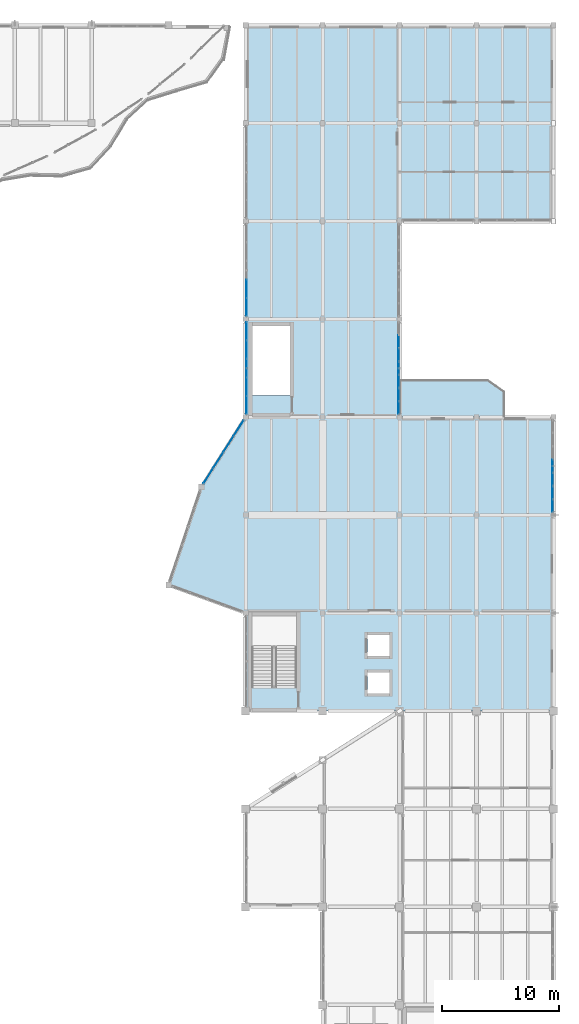
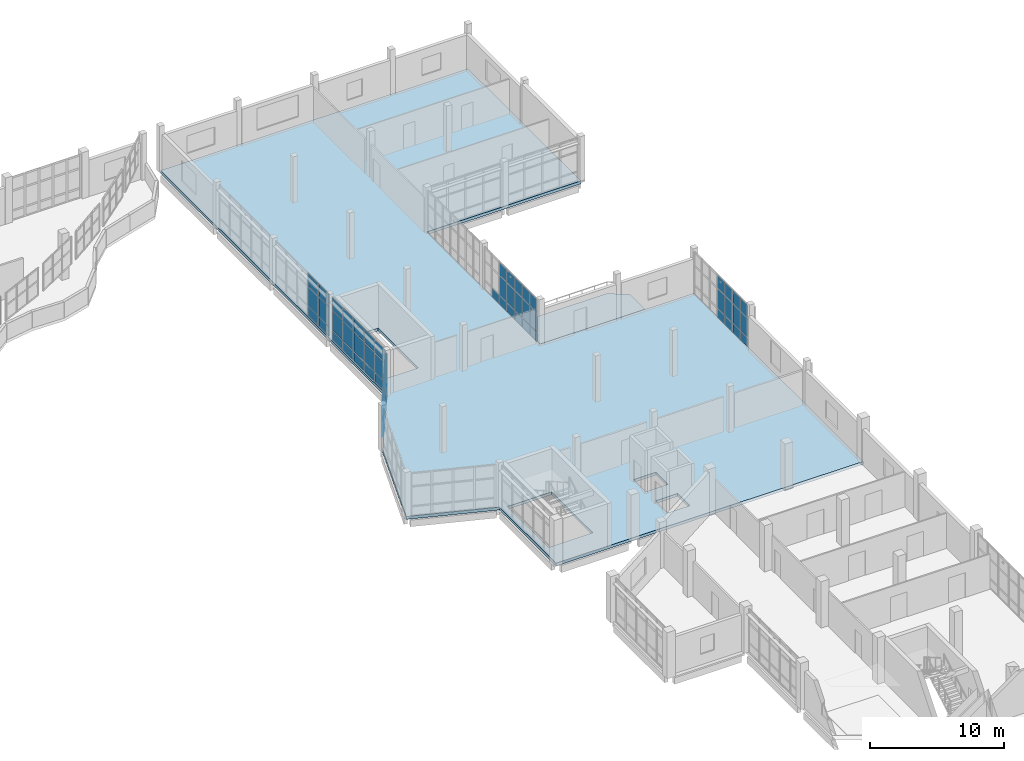
# One storey, part 40 of 74: 60 plates, 2 slabs, 5 elements without a shape of their own.
"""IFC4 building model written with IfcOpenShell, lengths in metres."""

from ifc_helpers import new_model, si_unit, direction, frame, origin, origin_2d, place, context, subcontext, project, spatial, polyline, rectangle, outline, extrude, material, layer, layer_set, type_object, element, aggregate, save


model = new_model("IFC4")

# Units and contexts
model_context = context("Model", 3, precision=1e-05, world=origin(), true_north=direction((0.0, 1.0)))
body_context = subcontext(model_context, "Body", "Model", "MODEL_VIEW")
ifc_project = project(units=[si_unit("LENGTHUNIT", "METRE"), si_unit("AREAUNIT", "SQUARE_METRE"), si_unit("VOLUMEUNIT", "CUBIC_METRE"), si_unit("PLANEANGLEUNIT", "RADIAN"), si_unit("MASSUNIT", "GRAM", prefix="KILO")], contexts=[model_context])

# Site, building, storey
site_placement = place(None, origin())
site = spatial("IfcSite", under=ifc_project, at=site_placement, CompositionType="ELEMENT")
building_placement = place(site_placement, origin())
building = spatial("IfcBuilding", under=site, at=building_placement, Name="Qaldarim Faculty of Natural and Applied Sciences", CompositionType="ELEMENT")
storey_placement = place(building_placement, frame((0.0, 0.0, 14.39990234375)))
storey = spatial("IfcBuildingStorey", under=building, at=storey_placement, Name="L03", CompositionType="ELEMENT", Elevation=14.39990234375)

# Slab
ifc_material_1 = material(Name="Concrete C40/50", Category="concrete")
ifc_layer_1 = layer(ifc_material_1, 0.260009765625)
ifc_layer_set_1 = layer_set([ifc_layer_1], Name="Concrete C40/50")
slab_type_1 = type_object("IfcSlabType", Name="LaboratoryFloorSlab-260", PredefinedType="FLOOR", material=ifc_layer_set_1)
slab_1_placement = place(storey_placement, frame((0.0, 0.0, -0.260009765625)))
element("IfcSlab", 1, at=slab_1_placement, inside=storey, type_object=slab_type_1, Name="Floor slab L03 V3", PredefinedType="FLOOR", context=body_context, shape_type="SweptSolid", body=[
    extrude(outline(polyline([(148.0, 78.0), (151.800048828125, 84.0), (151.800048828125, 117.60009765625), (178.199951171875, 117.60009765625), (178.199951171875, 100.800048828125), (165.0, 100.800048828125), (165.0, 84.0), (178.199951171875, 84.0), (178.199951171875, 58.800048828125), (151.800048828125, 58.800048828125), (151.800048828125, 67.199951171875), (145.199951171875, 69.60009765625), (148.0, 78.0)]), holes=[polyline([(156.14990234375, 60.864990234375), (156.14990234375, 66.97509765625), (152.35009765625, 66.97509765625), (152.35009765625, 60.864990234375), (156.14990234375, 60.864990234375)]), polyline([(155.60009765625, 85.864990234375), (155.60009765625, 91.824951171875), (152.39990234375, 91.824951171875), (152.39990234375, 85.864990234375), (155.60009765625, 85.864990234375)]), polyline([(162.25, 60.300048828125), (164.14990234375, 60.300048828125), (164.14990234375, 62.10009765625), (162.25, 62.10009765625), (162.25, 60.300048828125)]), polyline([(162.25, 63.5), (164.14990234375, 63.5), (164.14990234375, 65.300048828125), (162.25, 65.300048828125), (162.25, 63.5)])]), origin(), (0.0, 0.0, 1.0), 0.260009765625),
])

# Curtain wall, plates
ifc_material_2 = material(Name="Anodised aluminium AW-6063", Category="aluminium")
curtain_wall_type_1 = type_object("IfcCurtainWallType", Name="CurtainWallSystem-M1200", PredefinedType="USERDEFINED", material=ifc_material_2)
curtain_wall_1_placement = place(storey_placement, origin())
curtain_wall_1 = element("IfcCurtainWall", 2, at=curtain_wall_1_placement, inside=storey, type_object=curtain_wall_type_1, Name="Curtain wall CW-L03-E-X25Y11", ObjectType="STICK CURTAIN WALL", PredefinedType="USERDEFINED")
ifc_material_3 = material(Name="Insulated low-e double glazing", Category="glass")
ifc_layer_2 = layer(ifc_material_3, 0.031982421875)
ifc_layer_set_2 = layer_set([ifc_layer_2], Name="Insulated low-e double glazing")
plate_type_1 = type_object("IfcPlateType", Name="SolarControlGlazingPanel-32", PredefinedType="CURTAIN_PANEL", material=ifc_layer_set_2)
plate_1_placement = place(storey_placement, frame((164.919921875, 84.80615234375, 0.070068359375), z_axis=(0.0, 0.0, 1.0), x_axis=(0.0, 1.0, 0.0)))
plate_1 = element("IfcPlate", 3, at=plate_1_placement, type_object=plate_type_1, Name="Glazed panel 1-1 of CW-L03-E-X25Y11", PredefinedType="CURTAIN_PANEL", context=body_context, shape_type="SweptSolid", body=[
    extrude(rectangle(XDim=1.031982421875, YDim=0.031982421875, at=origin_2d()), origin(), (0.0, 0.0, 1.0), 0.794921875),
])
plate_2_placement = place(storey_placement, frame((164.919921875, 84.80615234375, 0.93505859375), z_axis=(0.0, 0.0, 1.0), x_axis=(0.0, 1.0, 0.0)))
plate_2 = element("IfcPlate", 4, at=plate_2_placement, type_object=plate_type_1, Name="Glazed panel 1-2 of CW-L03-E-X25Y11", PredefinedType="CURTAIN_PANEL", context=body_context, shape_type="SweptSolid", body=[
    extrude(rectangle(XDim=1.031982421875, YDim=0.031982421875, at=origin_2d()), origin(), (0.0, 0.0, 1.0), 1.72998046875),
])
plate_3_placement = place(storey_placement, frame((164.919921875, 84.80615234375, 2.73486328125), z_axis=(0.0, 0.0, 1.0), x_axis=(0.0, 1.0, 0.0)))
plate_3 = element("IfcPlate", 5, at=plate_3_placement, type_object=plate_type_1, Name="Glazed panel 1-3 of CW-L03-E-X25Y11", PredefinedType="CURTAIN_PANEL", context=body_context, shape_type="SweptSolid", body=[
    extrude(rectangle(XDim=1.031982421875, YDim=0.031982421875, at=origin_2d()), origin(), (0.0, 0.0, 1.0), 1.135009765625),
])
plate_4_placement = place(storey_placement, frame((164.919921875, 85.92578125, 0.070068359375), z_axis=(0.0, 0.0, 1.0), x_axis=(0.0, 1.0, 0.0)))
plate_4 = element("IfcPlate", 6, at=plate_4_placement, type_object=plate_type_1, Name="Glazed panel 2-1 of CW-L03-E-X25Y11", PredefinedType="CURTAIN_PANEL", context=body_context, shape_type="SweptSolid", body=[
    extrude(rectangle(XDim=1.067138671875, YDim=0.031982421875, at=origin_2d()), origin(), (0.0, 0.0, 1.0), 0.794921875),
])
plate_5_placement = place(storey_placement, frame((164.919921875, 85.92578125, 0.93505859375), z_axis=(0.0, 0.0, 1.0), x_axis=(0.0, 1.0, 0.0)))
plate_5 = element("IfcPlate", 7, at=plate_5_placement, type_object=plate_type_1, Name="Glazed panel 2-2 of CW-L03-E-X25Y11", PredefinedType="CURTAIN_PANEL", context=body_context, shape_type="SweptSolid", body=[
    extrude(rectangle(XDim=1.067138671875, YDim=0.031982421875, at=origin_2d()), origin(), (0.0, 0.0, 1.0), 1.72998046875),
])
plate_6_placement = place(storey_placement, frame((164.919921875, 85.92578125, 2.73486328125), z_axis=(0.0, 0.0, 1.0), x_axis=(0.0, 1.0, 0.0)))
plate_6 = element("IfcPlate", 8, at=plate_6_placement, type_object=plate_type_1, Name="Glazed panel 2-3 of CW-L03-E-X25Y11", PredefinedType="CURTAIN_PANEL", context=body_context, shape_type="SweptSolid", body=[
    extrude(rectangle(XDim=1.067138671875, YDim=0.031982421875, at=origin_2d()), origin(), (0.0, 0.0, 1.0), 1.135009765625),
])
plate_7_placement = place(storey_placement, frame((164.919921875, 87.06298828125, 0.070068359375), z_axis=(0.0, 0.0, 1.0), x_axis=(0.0, 1.0, 0.0)))
plate_7 = element("IfcPlate", 9, at=plate_7_placement, type_object=plate_type_1, Name="Glazed panel 3-1 of CW-L03-E-X25Y11", PredefinedType="CURTAIN_PANEL", context=body_context, shape_type="SweptSolid", body=[
    extrude(rectangle(XDim=1.067138671875, YDim=0.031982421875, at=origin_2d()), origin(), (0.0, 0.0, 1.0), 0.794921875),
])
plate_8_placement = place(storey_placement, frame((164.919921875, 87.06298828125, 0.93505859375), z_axis=(0.0, 0.0, 1.0), x_axis=(0.0, 1.0, 0.0)))
plate_8 = element("IfcPlate", 10, at=plate_8_placement, type_object=plate_type_1, Name="Glazed panel 3-2 of CW-L03-E-X25Y11", PredefinedType="CURTAIN_PANEL", context=body_context, shape_type="SweptSolid", body=[
    extrude(rectangle(XDim=1.067138671875, YDim=0.031982421875, at=origin_2d()), origin(), (0.0, 0.0, 1.0), 1.72998046875),
])
plate_9_placement = place(storey_placement, frame((164.919921875, 87.06298828125, 2.73486328125), z_axis=(0.0, 0.0, 1.0), x_axis=(0.0, 1.0, 0.0)))
plate_9 = element("IfcPlate", 11, at=plate_9_placement, type_object=plate_type_1, Name="Glazed panel 3-3 of CW-L03-E-X25Y11", PredefinedType="CURTAIN_PANEL", context=body_context, shape_type="SweptSolid", body=[
    extrude(rectangle(XDim=1.067138671875, YDim=0.031982421875, at=origin_2d()), origin(), (0.0, 0.0, 1.0), 1.135009765625),
])
plate_10_placement = place(storey_placement, frame((164.919921875, 88.199951171875, 0.070068359375), z_axis=(0.0, 0.0, 1.0), x_axis=(0.0, 1.0, 0.0)))
plate_10 = element("IfcPlate", 12, at=plate_10_placement, type_object=plate_type_1, Name="Glazed panel 4-1 of CW-L03-E-X25Y11", PredefinedType="CURTAIN_PANEL", context=body_context, shape_type="SweptSolid", body=[
    extrude(rectangle(XDim=1.067138671875, YDim=0.031982421875, at=origin_2d()), origin(), (0.0, 0.0, 1.0), 0.794921875),
])
plate_11_placement = place(storey_placement, frame((164.919921875, 88.199951171875, 0.93505859375), z_axis=(0.0, 0.0, 1.0), x_axis=(0.0, 1.0, 0.0)))
plate_11 = element("IfcPlate", 13, at=plate_11_placement, type_object=plate_type_1, Name="Glazed panel 4-2 of CW-L03-E-X25Y11", PredefinedType="CURTAIN_PANEL", context=body_context, shape_type="SweptSolid", body=[
    extrude(rectangle(XDim=1.067138671875, YDim=0.031982421875, at=origin_2d()), origin(), (0.0, 0.0, 1.0), 1.72998046875),
])
plate_12_placement = place(storey_placement, frame((164.919921875, 88.199951171875, 2.73486328125), z_axis=(0.0, 0.0, 1.0), x_axis=(0.0, 1.0, 0.0)))
plate_12 = element("IfcPlate", 14, at=plate_12_placement, type_object=plate_type_1, Name="Glazed panel 4-3 of CW-L03-E-X25Y11", PredefinedType="CURTAIN_PANEL", context=body_context, shape_type="SweptSolid", body=[
    extrude(rectangle(XDim=1.067138671875, YDim=0.031982421875, at=origin_2d()), origin(), (0.0, 0.0, 1.0), 1.135009765625),
])
plate_13_placement = place(storey_placement, frame((164.919921875, 89.337158203125, 0.070068359375), z_axis=(0.0, 0.0, 1.0), x_axis=(0.0, 1.0, 0.0)))
plate_13 = element("IfcPlate", 15, at=plate_13_placement, type_object=plate_type_1, Name="Glazed panel 5-1 of CW-L03-E-X25Y11", PredefinedType="CURTAIN_PANEL", context=body_context, shape_type="SweptSolid", body=[
    extrude(rectangle(XDim=1.067138671875, YDim=0.031982421875, at=origin_2d()), origin(), (0.0, 0.0, 1.0), 0.794921875),
])
plate_14_placement = place(storey_placement, frame((164.919921875, 89.337158203125, 0.93505859375), z_axis=(0.0, 0.0, 1.0), x_axis=(0.0, 1.0, 0.0)))
plate_14 = element("IfcPlate", 16, at=plate_14_placement, type_object=plate_type_1, Name="Glazed panel 5-2 of CW-L03-E-X25Y11", PredefinedType="CURTAIN_PANEL", context=body_context, shape_type="SweptSolid", body=[
    extrude(rectangle(XDim=1.067138671875, YDim=0.031982421875, at=origin_2d()), origin(), (0.0, 0.0, 1.0), 1.72998046875),
])
plate_15_placement = place(storey_placement, frame((164.919921875, 89.337158203125, 2.73486328125), z_axis=(0.0, 0.0, 1.0), x_axis=(0.0, 1.0, 0.0)))
plate_15 = element("IfcPlate", 17, at=plate_15_placement, type_object=plate_type_1, Name="Glazed panel 5-3 of CW-L03-E-X25Y11", PredefinedType="CURTAIN_PANEL", context=body_context, shape_type="SweptSolid", body=[
    extrude(rectangle(XDim=1.067138671875, YDim=0.031982421875, at=origin_2d()), origin(), (0.0, 0.0, 1.0), 1.135009765625),
])
plate_16_placement = place(storey_placement, frame((164.919921875, 90.474365234375, 0.070068359375), z_axis=(0.0, 0.0, 1.0), x_axis=(0.0, 1.0, 0.0)))
plate_16 = element("IfcPlate", 18, at=plate_16_placement, type_object=plate_type_1, Name="Glazed panel 6-1 of CW-L03-E-X25Y11", PredefinedType="CURTAIN_PANEL", context=body_context, shape_type="SweptSolid", body=[
    extrude(rectangle(XDim=1.067138671875, YDim=0.031982421875, at=origin_2d()), origin(), (0.0, 0.0, 1.0), 0.794921875),
])
aggregate(curtain_wall_1, [plate_1, plate_2, plate_3, plate_4, plate_5, plate_6, plate_7, plate_8, plate_9, plate_10, plate_11, plate_12, plate_13, plate_14, plate_15, plate_16])

curtain_wall_2_placement = place(storey_placement, origin())
curtain_wall_2 = element("IfcCurtainWall", 19, at=curtain_wall_2_placement, inside=storey, type_object=curtain_wall_type_1, Name="Curtain wall CW-L03-E-X27Y10", ObjectType="STICK CURTAIN WALL", PredefinedType="USERDEFINED")
plate_17_placement = place(storey_placement, frame((178.1201171875, 76.406005859375, 0.070068359375), z_axis=(0.0, 0.0, 1.0), x_axis=(0.0, 1.0, 0.0)))
plate_17 = element("IfcPlate", 20, at=plate_17_placement, type_object=plate_type_1, Name="Glazed panel 1-1 of CW-L03-E-X27Y10", PredefinedType="CURTAIN_PANEL", context=body_context, shape_type="SweptSolid", body=[
    extrude(rectangle(XDim=1.031982421875, YDim=0.031982421875, at=origin_2d()), origin(), (0.0, 0.0, 1.0), 0.794921875),
])
plate_18_placement = place(storey_placement, frame((178.1201171875, 76.406005859375, 0.93505859375), z_axis=(0.0, 0.0, 1.0), x_axis=(0.0, 1.0, 0.0)))
plate_18 = element("IfcPlate", 21, at=plate_18_placement, type_object=plate_type_1, Name="Glazed panel 1-2 of CW-L03-E-X27Y10", PredefinedType="CURTAIN_PANEL", context=body_context, shape_type="SweptSolid", body=[
    extrude(rectangle(XDim=1.031982421875, YDim=0.031982421875, at=origin_2d()), origin(), (0.0, 0.0, 1.0), 1.72998046875),
])
plate_19_placement = place(storey_placement, frame((178.1201171875, 76.406005859375, 2.73486328125), z_axis=(0.0, 0.0, 1.0), x_axis=(0.0, 1.0, 0.0)))
plate_19 = element("IfcPlate", 22, at=plate_19_placement, type_object=plate_type_1, Name="Glazed panel 1-3 of CW-L03-E-X27Y10", PredefinedType="CURTAIN_PANEL", context=body_context, shape_type="SweptSolid", body=[
    extrude(rectangle(XDim=1.031982421875, YDim=0.031982421875, at=origin_2d()), origin(), (0.0, 0.0, 1.0), 1.135009765625),
])
plate_20_placement = place(storey_placement, frame((178.1201171875, 77.525634765625, 0.070068359375), z_axis=(0.0, 0.0, 1.0), x_axis=(0.0, 1.0, 0.0)))
plate_20 = element("IfcPlate", 23, at=plate_20_placement, type_object=plate_type_1, Name="Glazed panel 2-1 of CW-L03-E-X27Y10", PredefinedType="CURTAIN_PANEL", context=body_context, shape_type="SweptSolid", body=[
    extrude(rectangle(XDim=1.067138671875, YDim=0.031982421875, at=origin_2d()), origin(), (0.0, 0.0, 1.0), 0.794921875),
])
plate_21_placement = place(storey_placement, frame((178.1201171875, 77.525634765625, 0.93505859375), z_axis=(0.0, 0.0, 1.0), x_axis=(0.0, 1.0, 0.0)))
plate_21 = element("IfcPlate", 24, at=plate_21_placement, type_object=plate_type_1, Name="Glazed panel 2-2 of CW-L03-E-X27Y10", PredefinedType="CURTAIN_PANEL", context=body_context, shape_type="SweptSolid", body=[
    extrude(rectangle(XDim=1.067138671875, YDim=0.031982421875, at=origin_2d()), origin(), (0.0, 0.0, 1.0), 1.72998046875),
])
plate_22_placement = place(storey_placement, frame((178.1201171875, 77.525634765625, 2.73486328125), z_axis=(0.0, 0.0, 1.0), x_axis=(0.0, 1.0, 0.0)))
plate_22 = element("IfcPlate", 25, at=plate_22_placement, type_object=plate_type_1, Name="Glazed panel 2-3 of CW-L03-E-X27Y10", PredefinedType="CURTAIN_PANEL", context=body_context, shape_type="SweptSolid", body=[
    extrude(rectangle(XDim=1.067138671875, YDim=0.031982421875, at=origin_2d()), origin(), (0.0, 0.0, 1.0), 1.135009765625),
])
plate_23_placement = place(storey_placement, frame((178.1201171875, 78.662841796875, 0.070068359375), z_axis=(0.0, 0.0, 1.0), x_axis=(0.0, 1.0, 0.0)))
plate_23 = element("IfcPlate", 26, at=plate_23_placement, type_object=plate_type_1, Name="Glazed panel 3-1 of CW-L03-E-X27Y10", PredefinedType="CURTAIN_PANEL", context=body_context, shape_type="SweptSolid", body=[
    extrude(rectangle(XDim=1.067138671875, YDim=0.031982421875, at=origin_2d()), origin(), (0.0, 0.0, 1.0), 0.794921875),
])
plate_24_placement = place(storey_placement, frame((178.1201171875, 78.662841796875, 0.93505859375), z_axis=(0.0, 0.0, 1.0), x_axis=(0.0, 1.0, 0.0)))
plate_24 = element("IfcPlate", 27, at=plate_24_placement, type_object=plate_type_1, Name="Glazed panel 3-2 of CW-L03-E-X27Y10", PredefinedType="CURTAIN_PANEL", context=body_context, shape_type="SweptSolid", body=[
    extrude(rectangle(XDim=1.067138671875, YDim=0.031982421875, at=origin_2d()), origin(), (0.0, 0.0, 1.0), 1.72998046875),
])
plate_25_placement = place(storey_placement, frame((178.1201171875, 78.662841796875, 2.73486328125), z_axis=(0.0, 0.0, 1.0), x_axis=(0.0, 1.0, 0.0)))
plate_25 = element("IfcPlate", 28, at=plate_25_placement, type_object=plate_type_1, Name="Glazed panel 3-3 of CW-L03-E-X27Y10", PredefinedType="CURTAIN_PANEL", context=body_context, shape_type="SweptSolid", body=[
    extrude(rectangle(XDim=1.067138671875, YDim=0.031982421875, at=origin_2d()), origin(), (0.0, 0.0, 1.0), 1.135009765625),
])
plate_26_placement = place(storey_placement, frame((178.1201171875, 79.800048828125, 0.070068359375), z_axis=(0.0, 0.0, 1.0), x_axis=(0.0, 1.0, 0.0)))
plate_26 = element("IfcPlate", 29, at=plate_26_placement, type_object=plate_type_1, Name="Glazed panel 4-1 of CW-L03-E-X27Y10", PredefinedType="CURTAIN_PANEL", context=body_context, shape_type="SweptSolid", body=[
    extrude(rectangle(XDim=1.067138671875, YDim=0.031982421875, at=origin_2d()), origin(), (0.0, 0.0, 1.0), 0.794921875),
])
plate_27_placement = place(storey_placement, frame((178.1201171875, 79.800048828125, 0.93505859375), z_axis=(0.0, 0.0, 1.0), x_axis=(0.0, 1.0, 0.0)))
plate_27 = element("IfcPlate", 30, at=plate_27_placement, type_object=plate_type_1, Name="Glazed panel 4-2 of CW-L03-E-X27Y10", PredefinedType="CURTAIN_PANEL", context=body_context, shape_type="SweptSolid", body=[
    extrude(rectangle(XDim=1.067138671875, YDim=0.031982421875, at=origin_2d()), origin(), (0.0, 0.0, 1.0), 1.72998046875),
])
plate_28_placement = place(storey_placement, frame((178.1201171875, 79.800048828125, 2.73486328125), z_axis=(0.0, 0.0, 1.0), x_axis=(0.0, 1.0, 0.0)))
plate_28 = element("IfcPlate", 31, at=plate_28_placement, type_object=plate_type_1, Name="Glazed panel 4-3 of CW-L03-E-X27Y10", PredefinedType="CURTAIN_PANEL", context=body_context, shape_type="SweptSolid", body=[
    extrude(rectangle(XDim=1.067138671875, YDim=0.031982421875, at=origin_2d()), origin(), (0.0, 0.0, 1.0), 1.135009765625),
])
aggregate(curtain_wall_2, [plate_17, plate_18, plate_19, plate_20, plate_21, plate_22, plate_23, plate_24, plate_25, plate_26, plate_27, plate_28])

# Slab
ifc_layer_3 = layer(ifc_material_1, 0.179931640625)
ifc_layer_set_3 = layer_set([ifc_layer_3], Name="Concrete C40/50")
slab_type_2 = type_object("IfcSlabType", Name="TerraceBalconySlab-180", PredefinedType="FLOOR", material=ifc_layer_set_3)
slab_2_placement = place(storey_placement, frame((0.0, 0.0, -0.179931640625)))
element("IfcSlab", 32, at=slab_2_placement, inside=storey, type_object=slab_type_2, Name="East botanical court reading balcony L03", PredefinedType="FLOOR", context=body_context, shape_type="SweptSolid", body=[
    extrude(outline(polyline([(165.0, 84.0), (174.0, 84.0), (174.0, 86.199951171875), (172.60009765625, 87.199951171875), (165.0, 87.199951171875), (165.0, 84.0)])), origin(), (0.0, 0.0, 1.0), 0.179931640625),
])

# Curtain wall, plates
curtain_wall_type_2 = type_object("IfcCurtainWallType", Name="CurtainWallSystem-M1600", PredefinedType="USERDEFINED", material=ifc_material_2)
curtain_wall_3_placement = place(storey_placement, origin())
curtain_wall_3 = element("IfcCurtainWall", 33, at=curtain_wall_3_placement, inside=storey, type_object=curtain_wall_type_2, Name="Curtain wall CW-L03-W-X24Y11", ObjectType="UNITISED FACADE", PredefinedType="USERDEFINED")
ifc_layer_4 = layer(ifc_material_3, 0.028076171875)
ifc_layer_set_4 = layer_set([ifc_layer_4], Name="Insulated low-e double glazing")
plate_type_2 = type_object("IfcPlateType", Name="VisionGlazingPanel-28", PredefinedType="CURTAIN_PANEL", material=ifc_layer_set_4)
plate_29_placement = place(storey_placement, frame((151.8798828125, 91.368896484375, 0.06005859375), z_axis=(0.0, 0.0, 1.0), x_axis=(0.0, -1.0, 0.0)))
plate_29 = element("IfcPlate", 34, at=plate_29_placement, type_object=plate_type_2, Name="Glazed panel 1-1 of CW-L03-W-X24Y11", PredefinedType="CURTAIN_PANEL", context=body_context, shape_type="SweptSolid", body=[
    extrude(rectangle(XDim=1.501953125, YDim=0.028076171875, at=origin_2d()), origin(), (0.0, 0.0, 1.0), 0.81005859375),
])
plate_30_placement = place(storey_placement, frame((151.8798828125, 91.368896484375, 0.93017578125), z_axis=(0.0, 0.0, 1.0), x_axis=(0.0, -1.0, 0.0)))
plate_30 = element("IfcPlate", 35, at=plate_30_placement, type_object=plate_type_2, Name="Glazed panel 1-2 of CW-L03-W-X24Y11", PredefinedType="CURTAIN_PANEL", context=body_context, shape_type="SweptSolid", body=[
    extrude(rectangle(XDim=1.501953125, YDim=0.028076171875, at=origin_2d()), origin(), (0.0, 0.0, 1.0), 1.739990234375),
])
plate_31_placement = place(storey_placement, frame((151.8798828125, 91.368896484375, 2.730224609375), z_axis=(0.0, 0.0, 1.0), x_axis=(0.0, -1.0, 0.0)))
plate_31 = element("IfcPlate", 36, at=plate_31_placement, type_object=plate_type_2, Name="Glazed panel 1-3 of CW-L03-W-X24Y11", PredefinedType="CURTAIN_PANEL", context=body_context, shape_type="SweptSolid", body=[
    extrude(rectangle(XDim=1.501953125, YDim=0.028076171875, at=origin_2d()), origin(), (0.0, 0.0, 1.0), 1.14990234375),
])
plate_32_placement = place(storey_placement, frame((151.8798828125, 89.7919921875, 0.06005859375), z_axis=(0.0, 0.0, 1.0), x_axis=(0.0, -1.0, 0.0)))
plate_32 = element("IfcPlate", 37, at=plate_32_placement, type_object=plate_type_2, Name="Glazed panel 2-1 of CW-L03-W-X24Y11", PredefinedType="CURTAIN_PANEL", context=body_context, shape_type="SweptSolid", body=[
    extrude(rectangle(XDim=1.531982421875, YDim=0.028076171875, at=origin_2d()), origin(), (0.0, 0.0, 1.0), 0.81005859375),
])
plate_33_placement = place(storey_placement, frame((151.8798828125, 89.7919921875, 0.93017578125), z_axis=(0.0, 0.0, 1.0), x_axis=(0.0, -1.0, 0.0)))
plate_33 = element("IfcPlate", 38, at=plate_33_placement, type_object=plate_type_2, Name="Glazed panel 2-2 of CW-L03-W-X24Y11", PredefinedType="CURTAIN_PANEL", context=body_context, shape_type="SweptSolid", body=[
    extrude(rectangle(XDim=1.531982421875, YDim=0.028076171875, at=origin_2d()), origin(), (0.0, 0.0, 1.0), 1.739990234375),
])
plate_34_placement = place(storey_placement, frame((151.8798828125, 89.7919921875, 2.730224609375), z_axis=(0.0, 0.0, 1.0), x_axis=(0.0, -1.0, 0.0)))
plate_34 = element("IfcPlate", 39, at=plate_34_placement, type_object=plate_type_2, Name="Glazed panel 2-3 of CW-L03-W-X24Y11", PredefinedType="CURTAIN_PANEL", context=body_context, shape_type="SweptSolid", body=[
    extrude(rectangle(XDim=1.531982421875, YDim=0.028076171875, at=origin_2d()), origin(), (0.0, 0.0, 1.0), 1.14990234375),
])
plate_35_placement = place(storey_placement, frame((151.8798828125, 88.199951171875, 0.06005859375), z_axis=(0.0, 0.0, 1.0), x_axis=(0.0, -1.0, 0.0)))
plate_35 = element("IfcPlate", 40, at=plate_35_placement, type_object=plate_type_2, Name="Glazed panel 3-1 of CW-L03-W-X24Y11", PredefinedType="CURTAIN_PANEL", context=body_context, shape_type="SweptSolid", body=[
    extrude(rectangle(XDim=1.531982421875, YDim=0.028076171875, at=origin_2d()), origin(), (0.0, 0.0, 1.0), 0.81005859375),
])
plate_36_placement = place(storey_placement, frame((151.8798828125, 88.199951171875, 0.93017578125), z_axis=(0.0, 0.0, 1.0), x_axis=(0.0, -1.0, 0.0)))
plate_36 = element("IfcPlate", 41, at=plate_36_placement, type_object=plate_type_2, Name="Glazed panel 3-2 of CW-L03-W-X24Y11", PredefinedType="CURTAIN_PANEL", context=body_context, shape_type="SweptSolid", body=[
    extrude(rectangle(XDim=1.531982421875, YDim=0.028076171875, at=origin_2d()), origin(), (0.0, 0.0, 1.0), 1.739990234375),
])
plate_37_placement = place(storey_placement, frame((151.8798828125, 88.199951171875, 2.730224609375), z_axis=(0.0, 0.0, 1.0), x_axis=(0.0, -1.0, 0.0)))
plate_37 = element("IfcPlate", 42, at=plate_37_placement, type_object=plate_type_2, Name="Glazed panel 3-3 of CW-L03-W-X24Y11", PredefinedType="CURTAIN_PANEL", context=body_context, shape_type="SweptSolid", body=[
    extrude(rectangle(XDim=1.531982421875, YDim=0.028076171875, at=origin_2d()), origin(), (0.0, 0.0, 1.0), 1.14990234375),
])
plate_38_placement = place(storey_placement, frame((151.8798828125, 86.60791015625, 0.06005859375), z_axis=(0.0, 0.0, 1.0), x_axis=(0.0, -1.0, 0.0)))
plate_38 = element("IfcPlate", 43, at=plate_38_placement, type_object=plate_type_2, Name="Glazed panel 4-1 of CW-L03-W-X24Y11", PredefinedType="CURTAIN_PANEL", context=body_context, shape_type="SweptSolid", body=[
    extrude(rectangle(XDim=1.531982421875, YDim=0.028076171875, at=origin_2d()), origin(), (0.0, 0.0, 1.0), 0.81005859375),
])
plate_39_placement = place(storey_placement, frame((151.8798828125, 86.60791015625, 0.93017578125), z_axis=(0.0, 0.0, 1.0), x_axis=(0.0, -1.0, 0.0)))
plate_39 = element("IfcPlate", 44, at=plate_39_placement, type_object=plate_type_2, Name="Glazed panel 4-2 of CW-L03-W-X24Y11", PredefinedType="CURTAIN_PANEL", context=body_context, shape_type="SweptSolid", body=[
    extrude(rectangle(XDim=1.531982421875, YDim=0.028076171875, at=origin_2d()), origin(), (0.0, 0.0, 1.0), 1.739990234375),
])
plate_40_placement = place(storey_placement, frame((151.8798828125, 86.60791015625, 2.730224609375), z_axis=(0.0, 0.0, 1.0), x_axis=(0.0, -1.0, 0.0)))
plate_40 = element("IfcPlate", 45, at=plate_40_placement, type_object=plate_type_2, Name="Glazed panel 4-3 of CW-L03-W-X24Y11", PredefinedType="CURTAIN_PANEL", context=body_context, shape_type="SweptSolid", body=[
    extrude(rectangle(XDim=1.531982421875, YDim=0.028076171875, at=origin_2d()), origin(), (0.0, 0.0, 1.0), 1.14990234375),
])
plate_41_placement = place(storey_placement, frame((151.8798828125, 85.031005859375, 0.06005859375), z_axis=(0.0, 0.0, 1.0), x_axis=(0.0, -1.0, 0.0)))
plate_41 = element("IfcPlate", 46, at=plate_41_placement, type_object=plate_type_2, Name="Glazed panel 5-1 of CW-L03-W-X24Y11", PredefinedType="CURTAIN_PANEL", context=body_context, shape_type="SweptSolid", body=[
    extrude(rectangle(XDim=1.501953125, YDim=0.028076171875, at=origin_2d()), origin(), (0.0, 0.0, 1.0), 0.81005859375),
])
plate_42_placement = place(storey_placement, frame((151.8798828125, 85.031005859375, 0.93017578125), z_axis=(0.0, 0.0, 1.0), x_axis=(0.0, -1.0, 0.0)))
plate_42 = element("IfcPlate", 47, at=plate_42_placement, type_object=plate_type_2, Name="Glazed panel 5-2 of CW-L03-W-X24Y11", PredefinedType="CURTAIN_PANEL", context=body_context, shape_type="SweptSolid", body=[
    extrude(rectangle(XDim=1.501953125, YDim=0.028076171875, at=origin_2d()), origin(), (0.0, 0.0, 1.0), 1.739990234375),
])
plate_43_placement = place(storey_placement, frame((151.8798828125, 85.031005859375, 2.730224609375), z_axis=(0.0, 0.0, 1.0), x_axis=(0.0, -1.0, 0.0)))
plate_43 = element("IfcPlate", 48, at=plate_43_placement, type_object=plate_type_2, Name="Glazed panel 5-3 of CW-L03-W-X24Y11", PredefinedType="CURTAIN_PANEL", context=body_context, shape_type="SweptSolid", body=[
    extrude(rectangle(XDim=1.501953125, YDim=0.028076171875, at=origin_2d()), origin(), (0.0, 0.0, 1.0), 1.14990234375),
])
aggregate(curtain_wall_3, [plate_29, plate_30, plate_31, plate_32, plate_33, plate_34, plate_35, plate_36, plate_37, plate_38, plate_39, plate_40, plate_41, plate_42, plate_43])

curtain_wall_4_placement = place(storey_placement, origin())
curtain_wall_4 = element("IfcCurtainWall", 49, at=curtain_wall_4_placement, inside=storey, type_object=curtain_wall_type_2, Name="Curtain wall CW-L03-W-X24Y12", ObjectType="UNITISED FACADE", PredefinedType="USERDEFINED")
plate_44_placement = place(storey_placement, frame((151.8798828125, 95.008056640625, 0.06005859375), z_axis=(0.0, 0.0, 1.0), x_axis=(0.0, -1.0, 0.0)))
plate_44 = element("IfcPlate", 50, at=plate_44_placement, type_object=plate_type_2, Name="Glazed panel 4-1 of CW-L03-W-X24Y12", PredefinedType="CURTAIN_PANEL", context=body_context, shape_type="SweptSolid", body=[
    extrude(rectangle(XDim=1.531982421875, YDim=0.028076171875, at=origin_2d()), origin(), (0.0, 0.0, 1.0), 0.81005859375),
])
plate_45_placement = place(storey_placement, frame((151.8798828125, 95.008056640625, 0.93017578125), z_axis=(0.0, 0.0, 1.0), x_axis=(0.0, -1.0, 0.0)))
plate_45 = element("IfcPlate", 51, at=plate_45_placement, type_object=plate_type_2, Name="Glazed panel 4-2 of CW-L03-W-X24Y12", PredefinedType="CURTAIN_PANEL", context=body_context, shape_type="SweptSolid", body=[
    extrude(rectangle(XDim=1.531982421875, YDim=0.028076171875, at=origin_2d()), origin(), (0.0, 0.0, 1.0), 1.739990234375),
])
plate_46_placement = place(storey_placement, frame((151.8798828125, 95.008056640625, 2.730224609375), z_axis=(0.0, 0.0, 1.0), x_axis=(0.0, -1.0, 0.0)))
plate_46 = element("IfcPlate", 52, at=plate_46_placement, type_object=plate_type_2, Name="Glazed panel 4-3 of CW-L03-W-X24Y12", PredefinedType="CURTAIN_PANEL", context=body_context, shape_type="SweptSolid", body=[
    extrude(rectangle(XDim=1.531982421875, YDim=0.028076171875, at=origin_2d()), origin(), (0.0, 0.0, 1.0), 1.14990234375),
])
plate_47_placement = place(storey_placement, frame((151.8798828125, 93.430908203125, 0.06005859375), z_axis=(0.0, 0.0, 1.0), x_axis=(0.0, -1.0, 0.0)))
plate_47 = element("IfcPlate", 53, at=plate_47_placement, type_object=plate_type_2, Name="Glazed panel 5-1 of CW-L03-W-X24Y12", PredefinedType="CURTAIN_PANEL", context=body_context, shape_type="SweptSolid", body=[
    extrude(rectangle(XDim=1.501953125, YDim=0.028076171875, at=origin_2d()), origin(), (0.0, 0.0, 1.0), 0.81005859375),
])
plate_48_placement = place(storey_placement, frame((151.8798828125, 93.430908203125, 0.93017578125), z_axis=(0.0, 0.0, 1.0), x_axis=(0.0, -1.0, 0.0)))
plate_48 = element("IfcPlate", 54, at=plate_48_placement, type_object=plate_type_2, Name="Glazed panel 5-2 of CW-L03-W-X24Y12", PredefinedType="CURTAIN_PANEL", context=body_context, shape_type="SweptSolid", body=[
    extrude(rectangle(XDim=1.501953125, YDim=0.028076171875, at=origin_2d()), origin(), (0.0, 0.0, 1.0), 1.739990234375),
])
plate_49_placement = place(storey_placement, frame((151.8798828125, 93.430908203125, 2.730224609375), z_axis=(0.0, 0.0, 1.0), x_axis=(0.0, -1.0, 0.0)))
plate_49 = element("IfcPlate", 55, at=plate_49_placement, type_object=plate_type_2, Name="Glazed panel 5-3 of CW-L03-W-X24Y12", PredefinedType="CURTAIN_PANEL", context=body_context, shape_type="SweptSolid", body=[
    extrude(rectangle(XDim=1.501953125, YDim=0.028076171875, at=origin_2d()), origin(), (0.0, 0.0, 1.0), 1.14990234375),
])
aggregate(curtain_wall_4, [plate_44, plate_45, plate_46, plate_47, plate_48, plate_49])

curtain_wall_5_placement = place(storey_placement, origin())
curtain_wall_5 = element("IfcCurtainWall", 56, at=curtain_wall_5_placement, inside=storey, type_object=curtain_wall_type_2, Name="Curtain wall CW-PROW-L03-1", ObjectType="UNITISED FACADE", PredefinedType="USERDEFINED")
plate_50_placement = place(storey_placement, frame((151.197021484375, 83.046142578125, 0.06005859375), z_axis=(0.0, 0.0, 1.0), x_axis=(-0.535384632481, -0.844608368004, 0.0)))
plate_50 = element("IfcPlate", 57, at=plate_50_placement, type_object=plate_type_2, Name="Glazed panel 1-1 of CW-PROW-L03-1", PredefinedType="CURTAIN_PANEL", context=body_context, shape_type="SweptSolid", body=[
    extrude(rectangle(XDim=1.534912109375, YDim=0.028076171875, at=origin_2d()), origin(), (0.0, 0.0, 1.0), 0.81005859375),
])
plate_51_placement = place(storey_placement, frame((151.197021484375, 83.046142578125, 0.93017578125), z_axis=(0.0, 0.0, 1.0), x_axis=(-0.535384632481, -0.844608368004, 0.0)))
plate_51 = element("IfcPlate", 58, at=plate_51_placement, type_object=plate_type_2, Name="Glazed panel 1-2 of CW-PROW-L03-1", PredefinedType="CURTAIN_PANEL", context=body_context, shape_type="SweptSolid", body=[
    extrude(rectangle(XDim=1.534912109375, YDim=0.028076171875, at=origin_2d()), origin(), (0.0, 0.0, 1.0), 1.739990234375),
])
plate_52_placement = place(storey_placement, frame((151.197021484375, 83.046142578125, 2.730224609375), z_axis=(0.0, 0.0, 1.0), x_axis=(-0.535384632481, -0.844608368004, 0.0)))
plate_52 = element("IfcPlate", 59, at=plate_52_placement, type_object=plate_type_2, Name="Glazed panel 1-3 of CW-PROW-L03-1", PredefinedType="CURTAIN_PANEL", context=body_context, shape_type="SweptSolid", body=[
    extrude(rectangle(XDim=1.534912109375, YDim=0.028076171875, at=origin_2d()), origin(), (0.0, 0.0, 1.0), 1.14990234375),
])
plate_53_placement = place(storey_placement, frame((150.3349609375, 81.686279296875, 0.06005859375), z_axis=(0.0, 0.0, 1.0), x_axis=(-0.535384632481, -0.844608368004, 0.0)))
plate_53 = element("IfcPlate", 60, at=plate_53_placement, type_object=plate_type_2, Name="Glazed panel 2-1 of CW-PROW-L03-1", PredefinedType="CURTAIN_PANEL", context=body_context, shape_type="SweptSolid", body=[
    extrude(rectangle(XDim=1.56494140625, YDim=0.028076171875, at=origin_2d()), origin(), (0.0, 0.0, 1.0), 0.81005859375),
])
plate_54_placement = place(storey_placement, frame((150.3349609375, 81.686279296875, 0.93017578125), z_axis=(0.0, 0.0, 1.0), x_axis=(-0.535384632481, -0.844608368004, 0.0)))
plate_54 = element("IfcPlate", 61, at=plate_54_placement, type_object=plate_type_2, Name="Glazed panel 2-2 of CW-PROW-L03-1", PredefinedType="CURTAIN_PANEL", context=body_context, shape_type="SweptSolid", body=[
    extrude(rectangle(XDim=1.56494140625, YDim=0.028076171875, at=origin_2d()), origin(), (0.0, 0.0, 1.0), 1.739990234375),
])
plate_55_placement = place(storey_placement, frame((150.3349609375, 81.686279296875, 2.730224609375), z_axis=(0.0, 0.0, 1.0), x_axis=(-0.535384632481, -0.844608368004, 0.0)))
plate_55 = element("IfcPlate", 62, at=plate_55_placement, type_object=plate_type_2, Name="Glazed panel 2-3 of CW-PROW-L03-1", PredefinedType="CURTAIN_PANEL", context=body_context, shape_type="SweptSolid", body=[
    extrude(rectangle(XDim=1.56494140625, YDim=0.028076171875, at=origin_2d()), origin(), (0.0, 0.0, 1.0), 1.14990234375),
])
plate_56_placement = place(storey_placement, frame((149.465087890625, 80.313720703125, 0.06005859375), z_axis=(0.0, 0.0, 1.0), x_axis=(-0.535384632481, -0.844608368004, 0.0)))
plate_56 = element("IfcPlate", 63, at=plate_56_placement, type_object=plate_type_2, Name="Glazed panel 3-1 of CW-PROW-L03-1", PredefinedType="CURTAIN_PANEL", context=body_context, shape_type="SweptSolid", body=[
    extrude(rectangle(XDim=1.56494140625, YDim=0.028076171875, at=origin_2d()), origin(), (0.0, 0.0, 1.0), 0.81005859375),
])
plate_57_placement = place(storey_placement, frame((149.465087890625, 80.313720703125, 0.93017578125), z_axis=(0.0, 0.0, 1.0), x_axis=(-0.535384632481, -0.844608368004, 0.0)))
plate_57 = element("IfcPlate", 64, at=plate_57_placement, type_object=plate_type_2, Name="Glazed panel 3-2 of CW-PROW-L03-1", PredefinedType="CURTAIN_PANEL", context=body_context, shape_type="SweptSolid", body=[
    extrude(rectangle(XDim=1.56494140625, YDim=0.028076171875, at=origin_2d()), origin(), (0.0, 0.0, 1.0), 1.739990234375),
])
plate_58_placement = place(storey_placement, frame((149.465087890625, 80.313720703125, 2.730224609375), z_axis=(0.0, 0.0, 1.0), x_axis=(-0.535384632481, -0.844608368004, 0.0)))
plate_58 = element("IfcPlate", 65, at=plate_58_placement, type_object=plate_type_2, Name="Glazed panel 3-3 of CW-PROW-L03-1", PredefinedType="CURTAIN_PANEL", context=body_context, shape_type="SweptSolid", body=[
    extrude(rectangle(XDim=1.56494140625, YDim=0.028076171875, at=origin_2d()), origin(), (0.0, 0.0, 1.0), 1.14990234375),
])
plate_59_placement = place(storey_placement, frame((148.60302734375, 78.953857421875, 0.93017578125), z_axis=(0.0, 0.0, 1.0), x_axis=(-0.535384632481, -0.844608368004, 0.0)))
plate_59 = element("IfcPlate", 66, at=plate_59_placement, type_object=plate_type_2, Name="Glazed panel 4-2 of CW-PROW-L03-1", PredefinedType="CURTAIN_PANEL", context=body_context, shape_type="SweptSolid", body=[
    extrude(rectangle(XDim=1.534912109375, YDim=0.028076171875, at=origin_2d()), origin(), (0.0, 0.0, 1.0), 1.739990234375),
])
plate_60_placement = place(storey_placement, frame((148.60302734375, 78.953857421875, 2.730224609375), z_axis=(0.0, 0.0, 1.0), x_axis=(-0.535384632481, -0.844608368004, 0.0)))
plate_60 = element("IfcPlate", 67, at=plate_60_placement, type_object=plate_type_2, Name="Glazed panel 4-3 of CW-PROW-L03-1", PredefinedType="CURTAIN_PANEL", context=body_context, shape_type="SweptSolid", body=[
    extrude(rectangle(XDim=1.534912109375, YDim=0.028076171875, at=origin_2d()), origin(), (0.0, 0.0, 1.0), 1.14990234375),
])
aggregate(curtain_wall_5, [plate_50, plate_51, plate_52, plate_53, plate_54, plate_55, plate_56, plate_57, plate_58, plate_59, plate_60])

save(model, "model.ifc")
